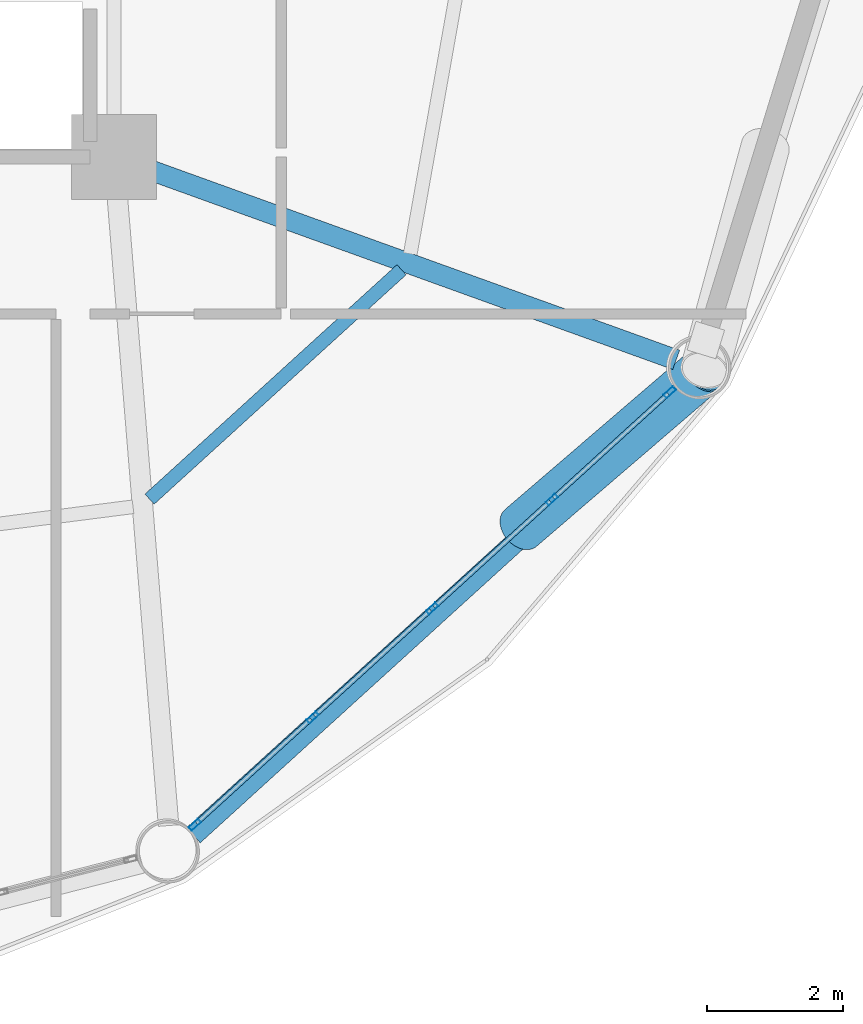
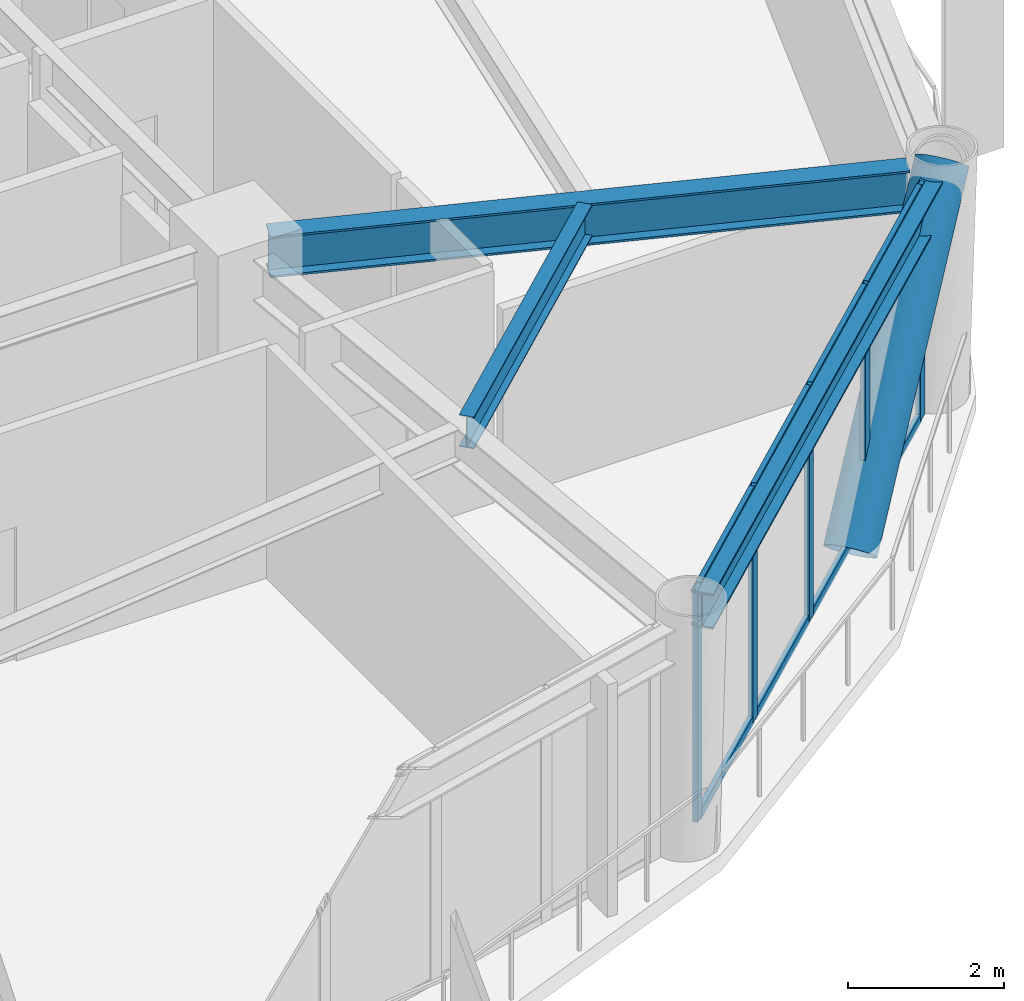
# One storey, part 12 of 25: 14 members, 3 beams, 1 element without a shape of its own.
"""IFC4 building model written with IfcOpenShell, lengths in metres."""

import ifcopenshell
import ifcopenshell.guid

model = None  # the IFC model being written
_history = None  # IfcOwnerHistory: only IFC2X3 demands one
_inside = {}  # id of a spatial element -> (the spatial element, [elements in it])
_under = {}  # id of a project, library or spatial element -> (it, [spatial elements below it])
_declared = {}  # id of a project -> (the project, [libraries it declares])
_typed = {}  # id of a type object -> (the type object, [elements of that type])
_made_of = {}  # id of a material, layer set ... -> (it, [elements and type objects made of it])


def new_model(schema):
    """Start an empty IFC model of exactly this schema.

    Asked for "IFC4X3", IfcOpenShell would pick the latest addendum, in which some entities
    have other attributes; the version numbers below select the first issue.
    IFC2X3 requires an IfcOwnerHistory on every rooted entity: one is made here for all.
    """
    global model, _history
    if schema == "IFC4X3":
        model = ifcopenshell.file(schema_version=(4, 3, 0, 0))
    else:
        model = ifcopenshell.file(schema=schema)
    _inside.clear()
    _under.clear()
    _declared.clear()
    _typed.clear()
    _made_of.clear()
    _history = None
    if model.schema == "IFC2X3":
        org = make("IfcOrganization", Name="unknown")
        user = make(
            "IfcPersonAndOrganization",
            ThePerson=make("IfcPerson", FamilyName="unknown"),
            TheOrganization=org,
        )
        app = make(
            "IfcApplication",
            ApplicationDeveloper=org,
            Version="unknown",
            ApplicationFullName="unknown",
            ApplicationIdentifier="unknown",
        )
        _history = make(
            "IfcOwnerHistory",
            OwningUser=user,
            OwningApplication=app,
            ChangeAction="ADDED",
            CreationDate=0,
        )
    return model


def make(cls, **values):
    """One entity of the class cls with the attributes given. An attribute that is None is left unset."""
    return model.create_entity(
        cls, **{name: value for name, value in values.items() if value is not None}
    )


def rooted(cls, **values):
    """An entity with a GlobalId (a new one), such as an element, a storey or a relation."""
    return make(cls, GlobalId=ifcopenshell.guid.new(), OwnerHistory=_history, **values)


def si_unit(unit_type, name, prefix=None):
    """IfcSIUnit, for example si_unit("LENGTHUNIT", "METRE", prefix="MILLI")."""
    return make("IfcSIUnit", UnitType=unit_type, Prefix=prefix, Name=name)


def assignment(units):
    """IfcUnitAssignment: the units of a project."""
    return None if units is None else make("IfcUnitAssignment", Units=units)


def point(xyz):
    """IfcCartesianPoint."""
    return None if xyz is None else make("IfcCartesianPoint", Coordinates=xyz)


def direction(xyz):
    """IfcDirection."""
    return None if xyz is None else make("IfcDirection", DirectionRatios=xyz)


def frame(location, z_axis=None, x_axis=None):
    """IfcAxis2Placement3D, a coordinate frame: its origin and axes. An axis left out is left unset."""
    return make(
        "IfcAxis2Placement3D",
        Location=point(location),
        Axis=direction(z_axis),
        RefDirection=direction(x_axis),
    )


def frame_2d(location, x_axis=None):
    """IfcAxis2Placement2D, a coordinate frame in the plane: its origin and x axis."""
    return make(
        "IfcAxis2Placement2D", Location=point(location), RefDirection=direction(x_axis)
    )


def origin():
    """The frame at (0, 0, 0) with its axes left unset."""
    return frame((0.0, 0.0, 0.0))


def origin_2d():
    """The frame at (0, 0) in the plane with its x axis left unset."""
    return frame_2d((0.0, 0.0))


def place(relative_to, where):
    """IfcLocalPlacement: puts the frame where relative to a parent placement (None: the world)."""
    return make(
        "IfcLocalPlacement", PlacementRelTo=relative_to, RelativePlacement=where
    )


def context(
    kind, dimensions, precision=None, world=None, true_north=None, identifier=None
):
    """IfcGeometricRepresentationContext, for example the 3D "Model" context."""
    return make(
        "IfcGeometricRepresentationContext",
        ContextIdentifier=identifier,
        ContextType=kind,
        CoordinateSpaceDimension=dimensions,
        Precision=precision,
        WorldCoordinateSystem=world,
        TrueNorth=true_north,
    )


def subcontext(parent, identifier, kind, view, scale=None):
    """IfcGeometricRepresentationSubContext, for example "Body" below "Model"."""
    return make(
        "IfcGeometricRepresentationSubContext",
        ContextIdentifier=identifier,
        ContextType=kind,
        ParentContext=parent,
        TargetScale=scale,
        TargetView=view,
    )


def project(units=None, contexts=None):
    """IfcProject with its units and contexts."""
    return rooted(
        "IfcProject",
        Name="project",
        RepresentationContexts=contexts,
        UnitsInContext=assignment(units),
    )


def spatial(cls, under=None, at=None, **own):
    """A site, building, storey or space (cls), placed at a placement, below another one or the project."""
    s = rooted(cls, ObjectPlacement=at, **own)
    if under is not None:
        _under.setdefault(under.id(), (under, []))[1].append(s)
    return s


def profile(cls, at=None, kind="AREA", **sizes):
    """A parametric profile (cls). Its sizes go by their IFC names, for example OverallWidth=200.0."""
    return make(cls, ProfileType=kind, Position=at, **sizes)


def hollow_rectangle(**sizes):
    """IfcRectangleHollowProfileDef."""
    return profile("IfcRectangleHollowProfileDef", **sizes)


def hollow_circle(**sizes):
    """IfcCircleHollowProfileDef."""
    return profile("IfcCircleHollowProfileDef", **sizes)


def i_section(**sizes):
    """IfcIShapeProfileDef."""
    return profile("IfcIShapeProfileDef", **sizes)


def extrude(swept, where, along, depth):
    """IfcExtrudedAreaSolid: the profile swept, set in the frame where, extruded along a direction by depth."""
    return make(
        "IfcExtrudedAreaSolid",
        SweptArea=swept,
        Position=where,
        ExtrudedDirection=direction(along),
        Depth=depth,
    )


def shape(context_of_items, identifier, shape_type, items):
    """IfcShapeRepresentation: the items that make up one representation, for example the "Body"."""
    return make(
        "IfcShapeRepresentation",
        ContextOfItems=context_of_items,
        RepresentationIdentifier=identifier,
        RepresentationType=shape_type,
        Items=items,
    )


def material(Name=None, Category=None):
    """IfcMaterial."""
    return make("IfcMaterial", Name=Name, Category=Category)


def layer(
    of_material, thickness, ventilated=None, Name=None, Category=None, Priority=None
):
    """IfcMaterialLayer: one layer of a wall or slab, of a material (None: an air gap)."""
    return make(
        "IfcMaterialLayer",
        Material=of_material,
        LayerThickness=thickness,
        IsVentilated=ventilated,
        Name=Name,
        Category=Category,
        Priority=Priority,
    )


def layer_set(layers, Name=None):
    """IfcMaterialLayerSet."""
    return make("IfcMaterialLayerSet", MaterialLayers=layers, LayerSetName=Name)


def material_profile(
    of_material, cross_section, Name=None, Category=None, Priority=None
):
    """IfcMaterialProfile: a cross section and its material."""
    return make(
        "IfcMaterialProfile",
        Name=Name,
        Material=of_material,
        Profile=cross_section,
        Priority=Priority,
        Category=Category,
    )


def profile_set(profiles, Name=None, composite=None):
    """IfcMaterialProfileSet."""
    return make(
        "IfcMaterialProfileSet",
        Name=Name,
        MaterialProfiles=profiles,
        CompositeProfile=composite,
    )


def made_of(thing, what):
    """Note that an element or type object is made of a material, layer set ...; save() writes the relation."""
    if what is not None:
        _made_of.setdefault(what.id(), (what, []))[1].append(thing)
    return thing


def type_object(cls, material=None, **own):
    """A type object (cls), such as IfcWallType, which elements share."""
    return made_of(rooted(cls, **own), material)


def element(
    cls,
    number,
    at=None,
    inside=None,
    cuts=None,
    type_object=None,
    material=None,
    context=None,
    identifier="Body",
    shape_type=None,
    held_by="IfcProductDefinitionShape",
    body=None,
    shapes=None,
    **own,
):
    """One element of the class cls, such as IfcWall. Its Tag is "e" and its number.

    at: its placement. inside: the storey or other place that contains it. cuts: it is an
    opening in that element (IfcRelVoidsElement). A single representation is given by context,
    identifier, shape_type and body (its items); several are given by shapes. held_by: the class
    of the entity that holds the representations. save() writes the other relations.
    """
    e = rooted(cls, Tag="e%d" % number, ObjectPlacement=at, **own)
    if body is not None:
        shapes = [shape(context, identifier, shape_type, body)]
    if shapes is not None:
        e.Representation = make(held_by, Representations=shapes)
    if inside is not None:
        _inside.setdefault(inside.id(), (inside, []))[1].append(e)
    if cuts is not None:
        rooted(
            "IfcRelVoidsElement", RelatingBuildingElement=cuts, RelatedOpeningElement=e
        )
    if type_object is not None:
        _typed.setdefault(type_object.id(), (type_object, []))[1].append(e)
    return made_of(e, material)


def aggregate(whole, parts):
    """IfcRelAggregates: a whole, such as a stair, and the parts it consists of."""
    return rooted("IfcRelAggregates", RelatingObject=whole, RelatedObjects=parts)


def save(model, path):
    """Write the relations noted so far, then the file.

    IfcRelAggregates (storeys below a building ...), IfcRelContainedInSpatialStructure (elements
    in a storey), IfcRelDefinesByType, IfcRelAssociatesMaterial and IfcRelDeclares: one each for
    every whole, place, type object, material and project.
    """
    for whole, parts in _under.values():
        aggregate(whole, parts)
    for where, things in _inside.values():
        rooted(
            "IfcRelContainedInSpatialStructure",
            RelatedElements=things,
            RelatingStructure=where,
        )
    for kind, things in _typed.values():
        rooted("IfcRelDefinesByType", RelatedObjects=things, RelatingType=kind)
    for what, things in _made_of.values():
        rooted("IfcRelAssociatesMaterial", RelatedObjects=things, RelatingMaterial=what)
    for by, libraries in _declared.values():
        rooted("IfcRelDeclares", RelatingContext=by, RelatedDefinitions=libraries)
    model.write(path)


model = new_model("IFC4")

# Units and contexts
model_context = context("Model", 3, precision=1e-05, world=origin(), true_north=direction((0.0, 1.0)))
body_context = subcontext(model_context, "Body", "Model", "MODEL_VIEW")
ifc_project = project(units=[si_unit("LENGTHUNIT", "METRE"), si_unit("AREAUNIT", "SQUARE_METRE"), si_unit("VOLUMEUNIT", "CUBIC_METRE"), si_unit("PLANEANGLEUNIT", "RADIAN"), si_unit("MASSUNIT", "GRAM", prefix="KILO")], contexts=[model_context])

# Site, building, storey
site_placement = place(None, origin())
site = spatial("IfcSite", under=ifc_project, at=site_placement, CompositionType="ELEMENT")
building_placement = place(site_placement, origin())
building = spatial("IfcBuilding", under=site, at=building_placement, Name="Varnakorn Sky Granary", CompositionType="ELEMENT")
storey_placement = place(building_placement, frame((0.0, 0.0, 58.800048828125)))
storey = spatial("IfcBuildingStorey", under=building, at=storey_placement, Name="L14", CompositionType="ELEMENT", Elevation=58.800048828125)

# Beams
ifc_material_1 = material(Name="Steel S355JR", Category="steel")
ifc_material_profile_1 = material_profile(ifc_material_1, i_section(OverallWidth=0.300048828125, OverallDepth=0.64990234375, WebThickness=0.01611328125, FlangeThickness=0.031005859375, at=origin_2d()), Name="HE 650 B")
ifc_profile_set_1 = profile_set([ifc_material_profile_1], Name="Steel S355JR")
beam_type_1 = type_object("IfcBeamType", Name="BM-RAD-Z1", PredefinedType="BEAM", material=ifc_profile_set_1)
beam_1_placement = place(storey_placement, frame((8.7451171875, -6.74267578125, 3.31494140625), z_axis=(0.940642425208, -0.339399216114, 0.0), x_axis=(0.339399216114, 0.940642425208, 0.0)))
element("IfcBeam", 1, at=beam_1_placement, inside=storey, type_object=beam_type_1, Name="Radial Floor Girder RG12 L14", PredefinedType="BEAM", context=body_context, shape_type="SweptSolid", body=[
    extrude(i_section(OverallWidth=0.300048828125, OverallDepth=0.64990234375, WebThickness=0.01611328125, FlangeThickness=0.031005859375, at=origin_2d()), origin(), (0.0, 0.0, 1.0), 8.342041015625),
])
ifc_material_profile_2 = material_profile(ifc_material_1, i_section(OverallWidth=0.199951171875, OverallDepth=0.5, WebThickness=0.01025390625, FlangeThickness=0.01611328125, at=origin_2d()), Name="IPE 500")
ifc_profile_set_2 = profile_set([ifc_material_profile_2], Name="Steel S355JR")
beam_type_2 = type_object("IfcBeamType", Name="BM-SEC-Z1", PredefinedType="BEAM", material=ifc_profile_set_2)
beam_2_placement = place(storey_placement, frame((8.870361328125, -11.6162109375, 3.389892578125), z_axis=(0.739435764116, 0.673227116764, 0.0), x_axis=(-0.673227116764, 0.739435764116, 0.0)))
element("IfcBeam", 2, at=beam_2_placement, inside=storey, type_object=beam_type_2, Name="Secondary Floor Chord Beam MSB11 L14", PredefinedType="BEAM", context=body_context, shape_type="SweptSolid", body=[
    extrude(i_section(OverallWidth=0.199951171875, OverallDepth=0.5, WebThickness=0.01025390625, FlangeThickness=0.01611328125, at=origin_2d()), origin(), (0.0, 0.0, 1.0), 4.99658203125),
])
ifc_material_profile_3 = material_profile(ifc_material_1, i_section(OverallWidth=0.300048828125, OverallDepth=0.550048828125, WebThickness=0.014892578125, FlangeThickness=0.029052734375, at=origin_2d()), Name="HE 550 B")
ifc_profile_set_3 = profile_set([ifc_material_profile_3], Name="Steel S355JR")
beam_type_3 = type_object("IfcBeamType", Name="BM-SPD-Z1", PredefinedType="SPANDREL", material=ifc_profile_set_3)
beam_3_placement = place(storey_placement, frame((9.512451171875, -16.544921875, 3.364990234375), z_axis=(0.739598046308, 0.673048831733, 0.0), x_axis=(-0.673048831733, 0.739598046308, 0.0)))
element("IfcBeam", 3, at=beam_3_placement, inside=storey, type_object=beam_type_3, Name="Perimeter Spandrel Ring Beam RB11 L14", PredefinedType="SPANDREL", context=body_context, shape_type="SweptSolid", body=[
    extrude(i_section(OverallWidth=0.300048828125, OverallDepth=0.550048828125, WebThickness=0.014892578125, FlangeThickness=0.029052734375, at=origin_2d()), origin(), (0.0, 0.0, 1.0), 9.6923828125),
])

# Curtain wall, members
ifc_material_2 = material(Name="Anodised Bronze Aluminium Alloy 6063-T6", Category="aluminium")
ifc_layer = layer(ifc_material_2, 0.18994140625, Name="Anodised Bronze Aluminium Alloy 6063-T6")
ifc_layer_set = layer_set([ifc_layer], Name="Anodised Bronze Aluminium Alloy 6063-T6")
curtain_wall_type = type_object("IfcCurtainWallType", Name="CW-FRM-1", PredefinedType="USERDEFINED", material=ifc_layer_set)
curtain_wall_placement = place(storey_placement, origin())
curtain_wall = element("IfcCurtainWall", 4, at=curtain_wall_placement, inside=storey, type_object=curtain_wall_type, Name="Unitised Curtain Wall CW3 CW-L14-B11", ObjectType="CURTAIN WALL", PredefinedType="USERDEFINED")
ifc_material_profile_4 = material_profile(ifc_material_2, hollow_rectangle(XDim=0.070068359375, YDim=0.18505859375, WallThickness=0.00390625, at=origin_2d()), Name="ALU MULL 70x185")
ifc_profile_set_4 = profile_set([ifc_material_profile_4], Name="Anodised Bronze Aluminium Alloy 6063-T6")
member_type_1 = type_object("IfcMemberType", Name="CW-FRM-1-MULL", PredefinedType="MULLION", material=ifc_profile_set_4)
member_1_placement = place(storey_placement, frame((16.49755859375, -10.049072265625, 0.0), z_axis=(0.0, 0.0, 1.0), x_axis=(0.67331886602, -0.739352219623, 0.0)))
member_1 = element("IfcMember", 5, at=member_1_placement, type_object=member_type_1, Name="CW3 mullion 1", PredefinedType="MULLION", context=body_context, shape_type="SweptSolid", body=[
    extrude(hollow_rectangle(XDim=0.070068359375, YDim=0.18505859375, WallThickness=0.00390625, at=origin_2d()), origin(), (0.0, 0.0, 1.0), 3.639892578125),
])
member_2_placement = place(storey_placement, frame((14.769775390625, -11.62255859375, 0.0), z_axis=(0.0, 0.0, 1.0), x_axis=(0.67331886602, -0.739352219623, 0.0)))
member_2 = element("IfcMember", 6, at=member_2_placement, type_object=member_type_1, Name="CW3 mullion 2", PredefinedType="MULLION", context=body_context, shape_type="SweptSolid", body=[
    extrude(hollow_rectangle(XDim=0.070068359375, YDim=0.18505859375, WallThickness=0.00390625, at=origin_2d()), origin(), (0.0, 0.0, 1.0), 3.639892578125),
])
member_3_placement = place(storey_placement, frame((13.01611328125, -13.2197265625, 0.0), z_axis=(0.0, 0.0, 1.0), x_axis=(0.67331886602, -0.739352219623, 0.0)))
member_3 = element("IfcMember", 7, at=member_3_placement, type_object=member_type_1, Name="CW3 mullion 3", PredefinedType="MULLION", context=body_context, shape_type="SweptSolid", body=[
    extrude(hollow_rectangle(XDim=0.070068359375, YDim=0.18505859375, WallThickness=0.00390625, at=origin_2d()), origin(), (0.0, 0.0, 1.0), 3.639892578125),
])
member_4_placement = place(storey_placement, frame((11.262451171875, -14.816650390625, 0.0), z_axis=(0.0, 0.0, 1.0), x_axis=(0.67331886602, -0.739352219623, 0.0)))
member_4 = element("IfcMember", 8, at=member_4_placement, type_object=member_type_1, Name="CW3 mullion 4", PredefinedType="MULLION", context=body_context, shape_type="SweptSolid", body=[
    extrude(hollow_rectangle(XDim=0.070068359375, YDim=0.18505859375, WallThickness=0.00390625, at=origin_2d()), origin(), (0.0, 0.0, 1.0), 3.639892578125),
])
member_5_placement = place(storey_placement, frame((9.53466796875, -16.39013671875, 0.0), z_axis=(0.0, 0.0, 1.0), x_axis=(0.67331886602, -0.739352219623, 0.0)))
member_5 = element("IfcMember", 9, at=member_5_placement, type_object=member_type_1, Name="CW3 mullion 5", PredefinedType="MULLION", context=body_context, shape_type="SweptSolid", body=[
    extrude(hollow_rectangle(XDim=0.070068359375, YDim=0.18505859375, WallThickness=0.00390625, at=origin_2d()), origin(), (0.0, 0.0, 1.0), 3.639892578125),
])
ifc_material_profile_5 = material_profile(ifc_material_2, hollow_rectangle(XDim=0.070068359375, YDim=0.139892578125, WallThickness=0.00341796875, at=origin_2d()), Name="ALU TRAN 70x140")
ifc_profile_set_5 = profile_set([ifc_material_profile_5], Name="Anodised Bronze Aluminium Alloy 6063-T6")
member_type_2 = type_object("IfcMemberType", Name="CW-FRM-1-TRAN", PredefinedType="USERDEFINED", material=ifc_profile_set_5)
member_6_placement = place(storey_placement, frame((16.4716796875, -10.07275390625, 0.034912109375), z_axis=(-0.739345253663, -0.673326515062, 0.0), x_axis=(0.673326515062, -0.739345253663, 0.0)))
member_6 = element("IfcMember", 10, at=member_6_placement, type_object=member_type_2, Name="CW3 transom 1.1", ObjectType="TRANSOM", PredefinedType="USERDEFINED", context=body_context, shape_type="SweptSolid", body=[
    extrude(hollow_rectangle(XDim=0.070068359375, YDim=0.139892578125, WallThickness=0.00341796875, at=origin_2d()), origin(), (0.0, 0.0, 1.0), 2.266845703125),
])
member_7_placement = place(storey_placement, frame((16.4716796875, -10.07275390625, 3.60498046875), z_axis=(-0.739345253663, -0.673326515062, 0.0), x_axis=(0.673326515062, -0.739345253663, 0.0)))
member_7 = element("IfcMember", 11, at=member_7_placement, type_object=member_type_2, Name="CW3 transom 1.2", ObjectType="TRANSOM", PredefinedType="USERDEFINED", context=body_context, shape_type="SweptSolid", body=[
    extrude(hollow_rectangle(XDim=0.070068359375, YDim=0.139892578125, WallThickness=0.00341796875, at=origin_2d()), origin(), (0.0, 0.0, 1.0), 2.266845703125),
])
member_8_placement = place(storey_placement, frame((14.743896484375, -11.646240234375, 0.034912109375), z_axis=(-0.739373495564, -0.673295502775, 0.0), x_axis=(0.673295502775, -0.739373495564, 0.0)))
member_8 = element("IfcMember", 12, at=member_8_placement, type_object=member_type_2, Name="CW3 transom 2.1", ObjectType="TRANSOM", PredefinedType="USERDEFINED", context=body_context, shape_type="SweptSolid", body=[
    extrude(hollow_rectangle(XDim=0.070068359375, YDim=0.139892578125, WallThickness=0.00341796875, at=origin_2d()), origin(), (0.0, 0.0, 1.0), 2.3017578125),
])
member_9_placement = place(storey_placement, frame((14.743896484375, -11.646240234375, 3.60498046875), z_axis=(-0.739373495564, -0.673295502775, 0.0), x_axis=(0.673295502775, -0.739373495564, 0.0)))
member_9 = element("IfcMember", 13, at=member_9_placement, type_object=member_type_2, Name="CW3 transom 2.2", ObjectType="TRANSOM", PredefinedType="USERDEFINED", context=body_context, shape_type="SweptSolid", body=[
    extrude(hollow_rectangle(XDim=0.070068359375, YDim=0.139892578125, WallThickness=0.00341796875, at=origin_2d()), origin(), (0.0, 0.0, 1.0), 2.3017578125),
])
member_10_placement = place(storey_placement, frame((12.990234375, -13.2431640625, 0.034912109375), z_axis=(-0.739320696519, -0.673353479013, 0.0), x_axis=(0.673353479013, -0.739320696519, 0.0)))
member_10 = element("IfcMember", 14, at=member_10_placement, type_object=member_type_2, Name="CW3 transom 3.1", ObjectType="TRANSOM", PredefinedType="USERDEFINED", context=body_context, shape_type="SweptSolid", body=[
    extrude(hollow_rectangle(XDim=0.070068359375, YDim=0.139892578125, WallThickness=0.00341796875, at=origin_2d()), origin(), (0.0, 0.0, 1.0), 2.302001953125),
])
member_11_placement = place(storey_placement, frame((12.990234375, -13.2431640625, 3.60498046875), z_axis=(-0.739320696519, -0.673353479013, 0.0), x_axis=(0.673353479013, -0.739320696519, 0.0)))
member_11 = element("IfcMember", 15, at=member_11_placement, type_object=member_type_2, Name="CW3 transom 3.2", ObjectType="TRANSOM", PredefinedType="USERDEFINED", context=body_context, shape_type="SweptSolid", body=[
    extrude(hollow_rectangle(XDim=0.070068359375, YDim=0.139892578125, WallThickness=0.00341796875, at=origin_2d()), origin(), (0.0, 0.0, 1.0), 2.302001953125),
])
member_12_placement = place(storey_placement, frame((11.236572265625, -14.84033203125, 0.034912109375), z_axis=(-0.739345253663, -0.673326515062, 0.0), x_axis=(0.673326515062, -0.739345253663, 0.0)))
member_12 = element("IfcMember", 16, at=member_12_placement, type_object=member_type_2, Name="CW3 transom 4.1", ObjectType="TRANSOM", PredefinedType="USERDEFINED", context=body_context, shape_type="SweptSolid", body=[
    extrude(hollow_rectangle(XDim=0.070068359375, YDim=0.139892578125, WallThickness=0.00341796875, at=origin_2d()), origin(), (0.0, 0.0, 1.0), 2.266845703125),
])
member_13_placement = place(storey_placement, frame((11.236572265625, -14.84033203125, 3.60498046875), z_axis=(-0.739345253663, -0.673326515062, 0.0), x_axis=(0.673326515062, -0.739345253663, 0.0)))
member_13 = element("IfcMember", 17, at=member_13_placement, type_object=member_type_2, Name="CW3 transom 4.2", ObjectType="TRANSOM", PredefinedType="USERDEFINED", context=body_context, shape_type="SweptSolid", body=[
    extrude(hollow_rectangle(XDim=0.070068359375, YDim=0.139892578125, WallThickness=0.00341796875, at=origin_2d()), origin(), (0.0, 0.0, 1.0), 2.266845703125),
])
aggregate(curtain_wall, [member_1, member_2, member_3, member_4, member_5, member_6, member_7, member_8, member_9, member_10, member_11, member_12, member_13])

# Member
ifc_material_3 = material(Name="Steel S460M", Category="steel")
ifc_material_profile_6 = material_profile(ifc_material_3, hollow_circle(Radius=0.35546875, WallThickness=0.02490234375, at=origin_2d()), Name="CHS 711x25")
ifc_profile_set_6 = profile_set([ifc_material_profile_6], Name="Steel S460M")
member_type_3 = type_object("IfcMemberType", Name="MB-DIAG-T0", PredefinedType="BRACE", material=ifc_profile_set_6)
member_14_placement = place(storey_placement, frame((14.3125, -12.0390625, -0.130126953125), z_axis=(0.520288809603, 0.4468639939, 0.72774454691), x_axis=(-0.6515493318, 0.758606266934, 0.0)))
element("IfcMember", 18, at=member_14_placement, inside=storey, type_object=member_type_3, Name="Perimeter CHS Diagrid Brace DG11 L14", PredefinedType="BRACE", context=body_context, shape_type="SweptSolid", body=[
    extrude(hollow_circle(Radius=0.35546875, WallThickness=0.02490234375, at=origin_2d()), origin(), (0.0, 0.0, 1.0), 5.180419921875),
])

save(model, "model.ifc")
